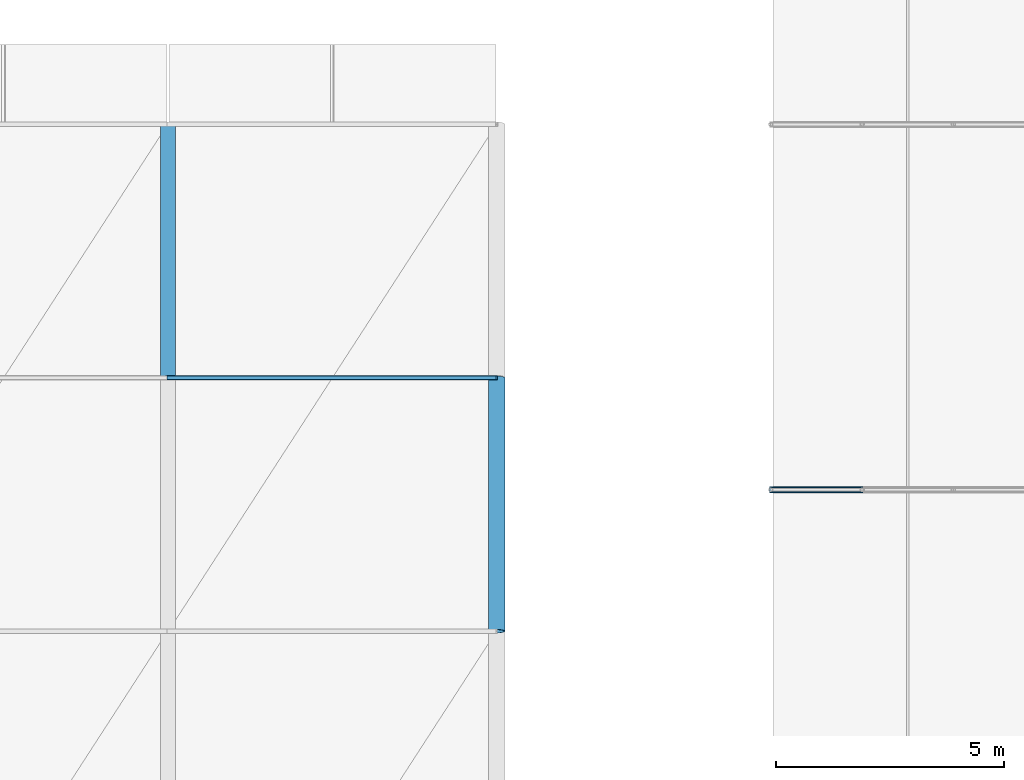
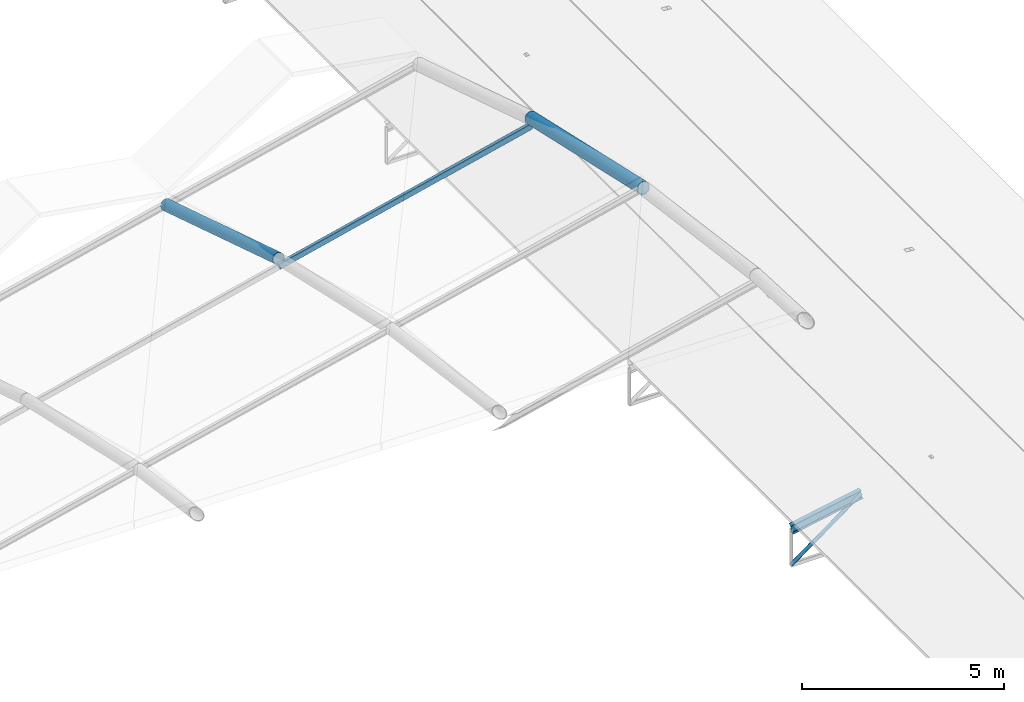
# One storey, part 20 of 54: 5 members.
"""IFC4 building model written with IfcOpenShell, lengths in metres."""

from ifc_helpers import new_model, si_unit, derived_unit, direction, frame, origin, origin_2d, place, context, subcontext, project, spatial, hollow_rectangle, hollow_circle, i_section, extrude, material, material_profile, profile_set, type_object, element, save


model = new_model("IFC4")

# Units and contexts
model_context = context("Model", 3, precision=1e-05, world=origin(), true_north=direction((0.0, 1.0)))
body_context = subcontext(model_context, "Body", "Model", "MODEL_VIEW")
ifc_project = project(units=[si_unit("LENGTHUNIT", "METRE"), si_unit("AREAUNIT", "SQUARE_METRE"), si_unit("VOLUMEUNIT", "CUBIC_METRE"), si_unit("PLANEANGLEUNIT", "RADIAN"), si_unit("MASSUNIT", "GRAM", prefix="KILO"), derived_unit("THERMALTRANSMITTANCEUNIT", [(si_unit("POWERUNIT", "WATT"), 1), (si_unit("LENGTHUNIT", "METRE"), -2), (si_unit("THERMODYNAMICTEMPERATUREUNIT", "KELVIN"), -1)])], contexts=[model_context])

# Site, building, storey
site_placement = place(None, origin())
site = spatial("IfcSite", under=ifc_project, at=site_placement, CompositionType="ELEMENT")
building_placement = place(site_placement, origin())
building = spatial("IfcBuilding", under=site, at=building_placement, Name="Keldorne Ridge Multi-Sports Centre", CompositionType="ELEMENT")
storey_placement = place(building_placement, frame((0.0, 0.0, 22.199951171875)))
storey = spatial("IfcBuildingStorey", under=building, at=storey_placement, Name="ROOF", CompositionType="ELEMENT", Elevation=22.199951171875)

# Members
ifc_material = material(Name="Steel S355", Category="steel")
ifc_material_profile_1 = material_profile(ifc_material, hollow_rectangle(XDim=0.10009765625, YDim=0.179931640625, WallThickness=0.008056640625, InnerFilletRadius=0.008056640625, OuterFilletRadius=0.01611328125, at=origin_2d()), Name="RHS 180x100x8")
ifc_profile_set_1 = profile_set([ifc_material_profile_1], Name="Steel S355")
member_type_1 = type_object("IfcMemberType", Name="MEM-PR-04", PredefinedType="PURLIN", material=ifc_profile_set_1)
member_1_placement = place(storey_placement, frame((70.800048828125, 48.449951171875, -1.579833984375), z_axis=(0.972632545932, 0.0, 0.232348726259), x_axis=(0.0, 1.0, 0.0)))
element("IfcMember", 1, at=member_1_placement, inside=storey, type_object=member_type_1, Name="Main Hall roof purlin 10.8", PredefinedType="PURLIN", context=body_context, shape_type="SweptSolid", body=[
    extrude(hollow_rectangle(XDim=0.10009765625, YDim=0.179931640625, WallThickness=0.008056640625, InnerFilletRadius=0.008056640625, OuterFilletRadius=0.01611328125, at=origin_2d()), origin(), (0.0, 0.0, 1.0), 7.402587890625),
])
ifc_material_profile_2 = material_profile(ifc_material, i_section(OverallWidth=0.135009765625, OverallDepth=0.27001953125, WebThickness=0.006591796875, FlangeThickness=0.01025390625, FilletRadius=0.014892578125, at=origin_2d()), Name="IPE 270")
ifc_profile_set_2 = profile_set([ifc_material_profile_2], Name="Steel S355")
member_type_2 = type_object("IfcMemberType", Name="MEM-RF-02", PredefinedType="RAFTER", material=ifc_profile_set_2)
member_2_placement = place(storey_placement, frame((84.0, 46.0, -12.639892578125), z_axis=(0.982435006317, 0.0, 0.186605086649), x_axis=(0.0, 1.0, 0.0)))
element("IfcMember", 2, at=member_2_placement, inside=storey, type_object=member_type_2, Name="Public Passage bowstring arch top chord 06.1", PredefinedType="RAFTER", context=body_context, shape_type="SweptSolid", body=[
    extrude(i_section(OverallWidth=0.135009765625, OverallDepth=0.27001953125, WebThickness=0.006591796875, FlangeThickness=0.01025390625, FilletRadius=0.014892578125, at=origin_2d()), origin(), (0.0, 0.0, 1.0), 2.03564453125),
])
ifc_material_profile_3 = material_profile(ifc_material, hollow_circle(Radius=0.177734375, WallThickness=0.01611328125, at=origin_2d()), Name="CHS 355.6x16")
ifc_profile_set_3 = profile_set([ifc_material_profile_3], Name="Steel S355")
member_type_3 = type_object("IfcMemberType", Name="MEM-TC-01", PredefinedType="CHORD", material=ifc_profile_set_3)
member_3_placement = place(storey_placement, frame((78.0, 42.89990234375, 1.6201171875), z_axis=(0.0, 0.975563092904, -0.219719484259), x_axis=(-1.0, 0.0, 0.0)))
element("IfcMember", 3, at=member_3_placement, inside=storey, type_object=member_type_3, Name="Main Hall ROOF TRUSS AT-11 top chord 7", PredefinedType="CHORD", context=body_context, shape_type="SweptSolid", body=[
    extrude(hollow_circle(Radius=0.177734375, WallThickness=0.01611328125, at=origin_2d()), origin(), (0.0, 0.0, 1.0), 5.68896484375),
])
ifc_material_profile_4 = material_profile(ifc_material, hollow_circle(Radius=0.161865234375, WallThickness=0.01611328125, at=origin_2d()), Name="CHS 323.9x16")
ifc_profile_set_4 = profile_set([ifc_material_profile_4], Name="Steel S355")
member_type_4 = type_object("IfcMemberType", Name="MEM-TC-02", PredefinedType="CHORD", material=ifc_profile_set_4)
member_4_placement = place(storey_placement, frame((70.800048828125, 48.449951171875, -1.349853515625), z_axis=(0.0, 0.953713189214, -0.300717729305), x_axis=(-1.0, 0.0, 0.0)))
element("IfcMember", 4, at=member_4_placement, inside=storey, type_object=member_type_4, Name="Main Hall ROOF TRUSS AT-10 top chord 8", PredefinedType="CHORD", context=body_context, shape_type="SweptSolid", body=[
    extrude(hollow_circle(Radius=0.161865234375, WallThickness=0.01611328125, at=origin_2d()), origin(), (0.0, 0.0, 1.0), 5.8193359375),
])
ifc_material_profile_5 = material_profile(ifc_material, hollow_circle(Radius=0.05078125, WallThickness=0.00634765625, at=origin_2d()), Name="CHS 101.6x6.3")
ifc_profile_set_5 = profile_set([ifc_material_profile_5], Name="Steel S355")
member_type_5 = type_object("IfcMemberType", Name="MEM-TD-05", PredefinedType="BRACE", material=ifc_profile_set_5)
member_5_placement = place(storey_placement, frame((84.0, 46.0, -13.719970703125), z_axis=(0.8076945033, 0.0, 0.589601212125), x_axis=(0.0, 1.0, 0.0)))
element("IfcMember", 5, at=member_5_placement, inside=storey, type_object=member_type_5, Name="Public Passage bowstring web diagonal 06.1", PredefinedType="BRACE", context=body_context, shape_type="SweptSolid", body=[
    extrude(hollow_circle(Radius=0.05078125, WallThickness=0.00634765625, at=origin_2d()), origin(), (0.0, 0.0, 1.0), 2.47607421875),
])

save(model, "model.ifc")
